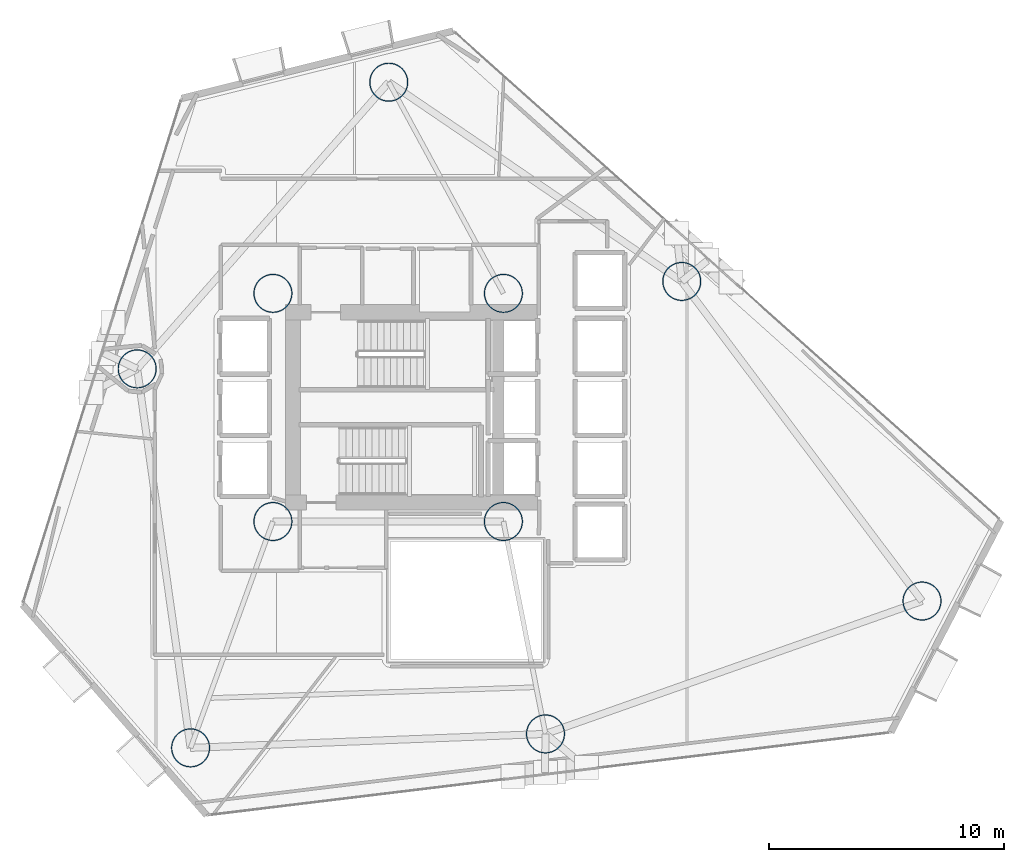
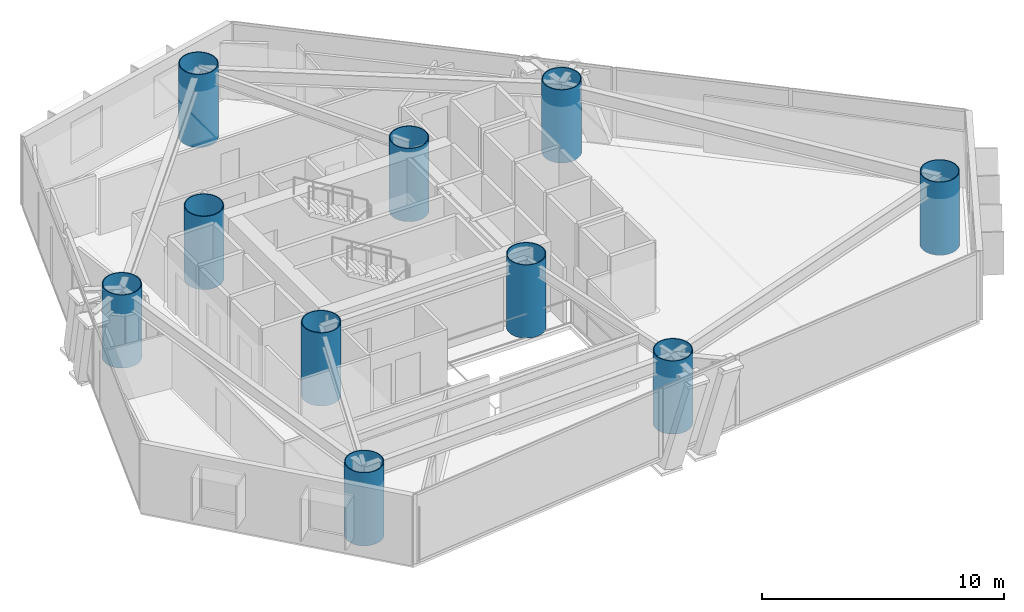
# One storey, part 1 of 24: 10 columns.
"""IFC4 building model written with IfcOpenShell, lengths in metres."""

from ifc_helpers import new_model, si_unit, direction, frame, origin, origin_2d, place, context, subcontext, project, spatial, hollow_circle, extrude, material, material_profile, profile_set, type_object, element, save


model = new_model("IFC4")

# Units and contexts
model_context = context("Model", 3, precision=1e-05, world=origin(), true_north=direction((0.0, 1.0)))
body_context = subcontext(model_context, "Body", "Model", "MODEL_VIEW")
ifc_project = project(units=[si_unit("LENGTHUNIT", "METRE"), si_unit("AREAUNIT", "SQUARE_METRE"), si_unit("VOLUMEUNIT", "CUBIC_METRE"), si_unit("PLANEANGLEUNIT", "RADIAN"), si_unit("MASSUNIT", "GRAM", prefix="KILO")], contexts=[model_context])

# Site, building, storey
site_placement = place(None, origin())
site = spatial("IfcSite", under=ifc_project, at=site_placement, CompositionType="ELEMENT")
building_placement = place(site_placement, origin())
building = spatial("IfcBuilding", under=site, at=building_placement, Name="Qianvela Tower", CompositionType="ELEMENT")
storey_placement = place(building_placement, frame((0.0, 0.0, 71.0)))
storey = spatial("IfcBuildingStorey", under=building, at=storey_placement, Name="L17", CompositionType="ELEMENT", Elevation=71.0)

# Columns
ifc_material = material(Name="Steel Q420GJC", Category="steel")
ifc_material_profile = material_profile(ifc_material, hollow_circle(Radius=0.824951171875, WallThickness=0.0400390625, at=origin_2d()), Name="CFT-1650x40")
ifc_profile_set = profile_set([ifc_material_profile], Name="Steel Q420GJC")
column_type = type_object("IfcColumnType", Name="COL-CFT-1650x40", PredefinedType="COLUMN", material=ifc_profile_set)
for number, where, z_axis, x_axis, name in (
    (1, (28.60009765625, 33.550048828125, 0.0), (0.0, 0.0, 1.0), (1.0, 0.0, 0.0), "L17 Core Corner Mega-Column CC-NW"),
    (2, (28.60009765625, 23.85009765625, 0.0), (0.0, 0.0, 1.0), (1.0, 0.0, 0.0), "L17 Core Corner Mega-Column CC-SW"),
    (3, (38.39990234375, 33.550048828125, 0.0), (0.0, 0.0, 1.0), (1.0, 0.0, 0.0), "L17 Core Corner Mega-Column CC-NE"),
    (4, (38.39990234375, 23.85009765625, 0.0), (0.0, 0.0, 1.0), (1.0, 0.0, 0.0), "L17 Core Corner Mega-Column CC-SE"),
    (5, (56.198974609375, 20.468017578125, 0.0), (0.0, 0.0, 1.0), (1.0, 0.0, 0.0), "L17 Zone Z2 CFT Mega-Column C1"),
    (6, (45.98388671875, 34.056884765625, 0.0), (0.0, 0.0, 1.0), (1.0, 0.0, 0.0), "L17 Zone Z2 CFT Mega-Column C2"),
    (7, (33.52587890625, 42.529052734375, 0.0), (0.0, 0.0, 1.0), (1.0, 0.0, 0.0), "L17 Zone Z2 CFT Mega-Column C3"),
    (8, (22.8291015625, 30.340087890625, 0.0), (0.0, 0.0, 1.0), (1.0, 0.0, 0.0), "L17 Zone Z2 CFT Mega-Column C4"),
    (9, (25.10009765625, 14.22509765625, 0.0), (0.0, 0.0, 1.0), (1.0, 0.0, 0.0), "L17 Zone Z2 CFT Mega-Column C5"),
    (10, (40.18896484375, 14.819091796875, 0.0), (0.0, 0.0, 1.0), (1.0, 0.0, 0.0), "L17 Zone Z2 CFT Mega-Column C6"),
):
    element("IfcColumn", number, at=place(storey_placement, frame(where, z_axis=z_axis, x_axis=x_axis)), inside=storey, type_object=column_type, Name=name, PredefinedType="COLUMN", context=body_context, shape_type="SweptSolid", body=[
        extrude(hollow_circle(Radius=0.824951171875, WallThickness=0.0400390625, at=origin_2d()), origin(), (0.0, 0.0, 1.0), 3.699951171875),
    ])

save(model, "model.ifc")
